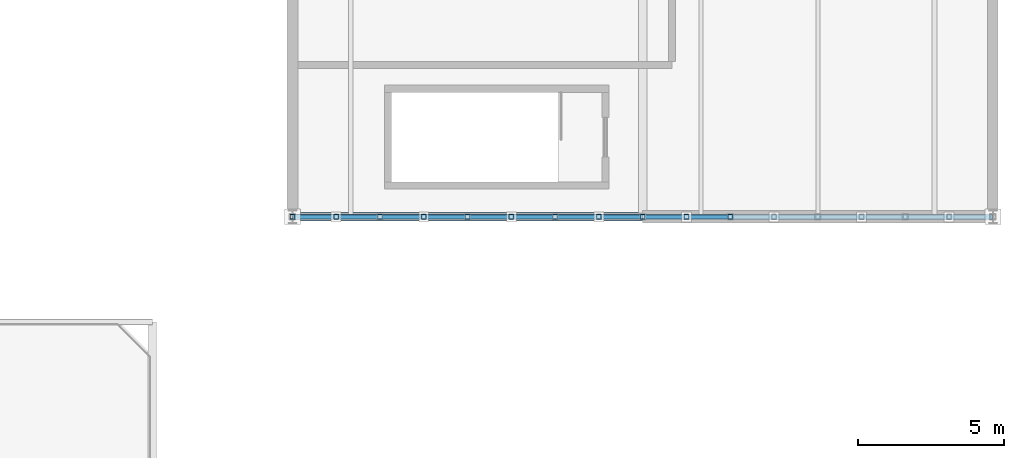
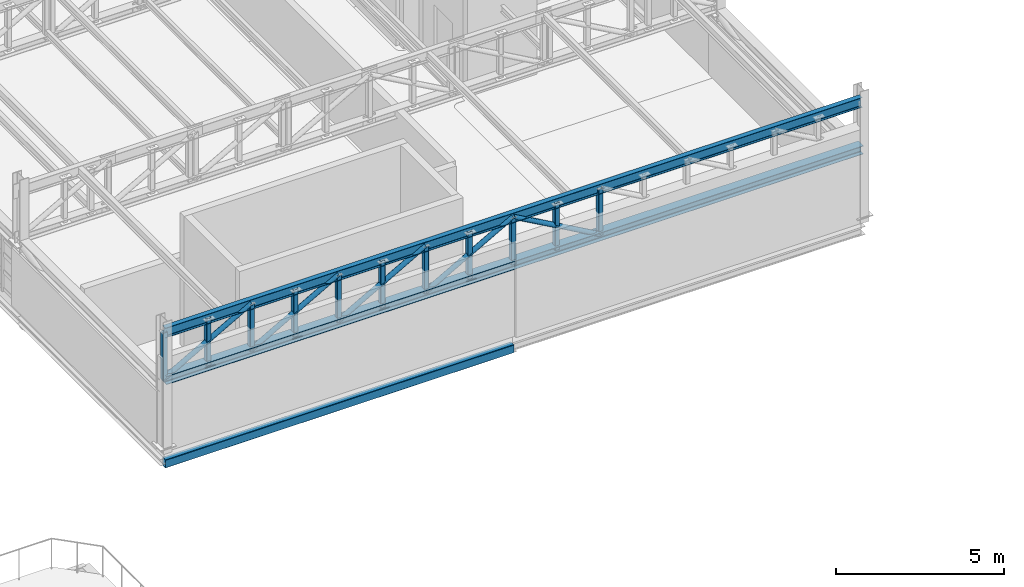
# One storey, part 31 of 128: 18 members, 1 beam.
"""IFC4 building model written with IfcOpenShell, lengths in metres."""

from ifc_helpers import new_model, si_unit, direction, frame, origin, origin_2d, place, context, subcontext, project, spatial, hollow_rectangle, hollow_circle, i_section, extrude, material, material_profile, profile_set, type_object, element, save


model = new_model("IFC4")

# Units and contexts
model_context = context("Model", 3, precision=1e-05, world=origin(), true_north=direction((0.0, 1.0)))
body_context = subcontext(model_context, "Body", "Model", "MODEL_VIEW")
ifc_project = project(units=[si_unit("LENGTHUNIT", "METRE"), si_unit("AREAUNIT", "SQUARE_METRE"), si_unit("VOLUMEUNIT", "CUBIC_METRE"), si_unit("PLANEANGLEUNIT", "RADIAN"), si_unit("MASSUNIT", "GRAM", prefix="KILO")], contexts=[model_context])

# Site, building, storey
site_placement = place(None, origin())
site = spatial("IfcSite", under=ifc_project, at=site_placement, CompositionType="ELEMENT")
building_placement = place(site_placement, origin())
building = spatial("IfcBuilding", under=site, at=building_placement, Name="Serraforn Aerial Cableway Station", CompositionType="ELEMENT")
storey_placement = place(building_placement, frame((0.0, 0.0, 9.0)))
storey = spatial("IfcBuildingStorey", under=building, at=storey_placement, Name="L02", CompositionType="ELEMENT", Elevation=9.0)

# Beam
ifc_material = material(Name="Steel S355J2", Category="steel")
ifc_material_profile_1 = material_profile(ifc_material, hollow_rectangle(XDim=0.199951171875, YDim=0.300048828125, WallThickness=0.012451171875, InnerFilletRadius=0.012451171875, OuterFilletRadius=0.02490234375, at=origin_2d()), Name="RHS 300x200x12.5")
ifc_profile_set_1 = profile_set([ifc_material_profile_1], Name="Steel S355J2")
beam_type = type_object("IfcBeamType", Name="BM-ST-RHS300", PredefinedType="SPANDREL", material=ifc_profile_set_1)
beam_placement = place(storey_placement, frame((144.0, 45.60009765625, -0.469970703125), z_axis=(1.0, 0.0, 0.0), x_axis=(0.0, 1.0, 0.0)))
element("IfcBeam", 1, at=beam_placement, inside=storey, type_object=beam_type, Name="Grid Girder X EG L02 Y1-1", PredefinedType="SPANDREL", context=body_context, shape_type="SweptSolid", body=[
    extrude(hollow_rectangle(XDim=0.199951171875, YDim=0.300048828125, WallThickness=0.012451171875, InnerFilletRadius=0.012451171875, OuterFilletRadius=0.02490234375, at=origin_2d()), origin(), (0.0, 0.0, 1.0), 12.0),
])

# Members
ifc_material_profile_2 = material_profile(ifc_material, i_section(OverallWidth=0.300048828125, OverallDepth=0.300048828125, WebThickness=0.008544921875, FlangeThickness=0.013916015625, FilletRadius=0.027099609375, at=origin_2d()), Name="HEA 300")
ifc_profile_set_2 = profile_set([ifc_material_profile_2], Name="Steel S355J2")
member_type_1 = type_object("IfcMemberType", Name="MEM-BC-HEA300", PredefinedType="CHORD", material=ifc_profile_set_2)
member_1_placement = place(storey_placement, frame((144.0, 45.60009765625, 2.60009765625), z_axis=(1.0, 0.0, 0.0), x_axis=(0.0, 1.0, 0.0)))
element("IfcMember", 2, at=member_1_placement, inside=storey, type_object=member_type_1, Name="Garage Truss GT-01 Bottom Chord", PredefinedType="CHORD", context=body_context, shape_type="SweptSolid", body=[
    extrude(i_section(OverallWidth=0.300048828125, OverallDepth=0.300048828125, WebThickness=0.008544921875, FlangeThickness=0.013916015625, FilletRadius=0.027099609375, at=origin_2d()), origin(), (0.0, 0.0, 1.0), 24.0),
])
ifc_material_profile_3 = material_profile(ifc_material, hollow_circle(Radius=0.084228515625, WallThickness=0.008056640625, at=origin_2d()), Name="CHS 168.3x8.0")
ifc_profile_set_3 = profile_set([ifc_material_profile_3], Name="Steel S355J2")
member_type_2 = type_object("IfcMemberType", Name="MEM-DG-CHS168", PredefinedType="BRACE", material=ifc_profile_set_3)
for number, where, z_axis, x_axis, name in (
    (3, (144.0, 45.60009765625, 2.60009765625), (0.871272396707, 0.0, 0.490799766439), (0.0, 1.0, 0.0), "Garage Truss GT-01 Diagonal 1"),
    (4, (147.0, 45.60009765625, 2.60009765625), (0.871272396707, 0.0, 0.490799766439), (0.0, 1.0, 0.0), "Garage Truss GT-01 Diagonal 2"),
    (5, (150.0, 45.60009765625, 2.60009765625), (0.871272396707, 0.0, 0.490799766439), (0.0, 1.0, 0.0), "Garage Truss GT-01 Diagonal 3"),
    (6, (153.0, 45.60009765625, 2.60009765625), (0.871272396707, 0.0, 0.490799766439), (0.0, 1.0, 0.0), "Garage Truss GT-01 Diagonal 4"),
    (7, (156.0, 45.60009765625, 4.2900390625), (0.871272396707, 0.0, -0.490799766439), (0.0, 1.0, 0.0), "Garage Truss GT-01 Diagonal 5"),
):
    element("IfcMember", number, at=place(storey_placement, frame(where, z_axis=z_axis, x_axis=x_axis)), inside=storey, type_object=member_type_2, Name=name, PredefinedType="BRACE", context=body_context, shape_type="SweptSolid", body=[
        extrude(hollow_circle(Radius=0.084228515625, WallThickness=0.008056640625, at=origin_2d()), origin(), (0.0, 0.0, 1.0), 3.443359375),
    ])
ifc_material_profile_4 = material_profile(ifc_material, i_section(OverallWidth=0.169921875, OverallDepth=0.360107421875, WebThickness=0.008056640625, FlangeThickness=0.0126953125, FilletRadius=0.01806640625, at=origin_2d()), Name="IPE 360")
ifc_profile_set_4 = profile_set([ifc_material_profile_4], Name="Steel S355J2")
member_type_3 = type_object("IfcMemberType", Name="MEM-TC-IPE360", PredefinedType="CHORD", material=ifc_profile_set_4)
member_2_placement = place(storey_placement, frame((144.0, 45.60009765625, 4.2900390625), z_axis=(1.0, 0.0, 0.0), x_axis=(0.0, 1.0, 0.0)))
element("IfcMember", 8, at=member_2_placement, inside=storey, type_object=member_type_3, Name="Garage Truss GT-01 Top Chord", PredefinedType="CHORD", context=body_context, shape_type="SweptSolid", body=[
    extrude(i_section(OverallWidth=0.169921875, OverallDepth=0.360107421875, WebThickness=0.008056640625, FlangeThickness=0.0126953125, FilletRadius=0.01806640625, at=origin_2d()), origin(), (0.0, 0.0, 1.0), 24.0),
])
ifc_material_profile_5 = material_profile(ifc_material, hollow_rectangle(XDim=0.159912109375, YDim=0.159912109375, WallThickness=0.008056640625, InnerFilletRadius=0.008056640625, OuterFilletRadius=0.01611328125, at=origin_2d()), Name="SHS 160x160x8.0")
ifc_profile_set_5 = profile_set([ifc_material_profile_5], Name="Steel S355J2")
member_type_4 = type_object("IfcMemberType", Name="MEM-VP-SHS160", PredefinedType="STRUT", material=ifc_profile_set_5)
for number, where, z_axis, x_axis, name in (
    (9, (144.0, 45.60009765625, 2.590087890625), (0.0, 0.0, 1.0), (1.0, 0.0, 0.0), "Garage Truss GT-01 Post 1"),
    (10, (147.0, 45.60009765625, 2.590087890625), (0.0, 0.0, 1.0), (1.0, 0.0, 0.0), "Garage Truss GT-01 Post 2"),
    (11, (150.0, 45.60009765625, 2.590087890625), (0.0, 0.0, 1.0), (1.0, 0.0, 0.0), "Garage Truss GT-01 Post 3"),
    (12, (153.0, 45.60009765625, 2.590087890625), (0.0, 0.0, 1.0), (1.0, 0.0, 0.0), "Garage Truss GT-01 Post 4"),
    (13, (156.0, 45.60009765625, 2.590087890625), (0.0, 0.0, 1.0), (1.0, 0.0, 0.0), "Garage Truss GT-01 Post 5"),
    (14, (159.0, 45.60009765625, 2.590087890625), (0.0, 0.0, 1.0), (1.0, 0.0, 0.0), "Garage Truss GT-01 Post 6"),
    (15, (145.5, 45.60009765625, 2.590087890625), (0.0, 0.0, 1.0), (1.0, 0.0, 0.0), "Garage Truss GT-01 Sub-Vertical 1"),
    (16, (148.5, 45.60009765625, 2.590087890625), (0.0, 0.0, 1.0), (1.0, 0.0, 0.0), "Garage Truss GT-01 Sub-Vertical 2"),
    (17, (151.5, 45.60009765625, 2.590087890625), (0.0, 0.0, 1.0), (1.0, 0.0, 0.0), "Garage Truss GT-01 Sub-Vertical 3"),
    (18, (154.5, 45.60009765625, 2.590087890625), (0.0, 0.0, 1.0), (1.0, 0.0, 0.0), "Garage Truss GT-01 Sub-Vertical 4"),
    (19, (157.5, 45.60009765625, 2.590087890625), (0.0, 0.0, 1.0), (1.0, 0.0, 0.0), "Garage Truss GT-01 Sub-Vertical 5"),
):
    element("IfcMember", number, at=place(storey_placement, frame(where, z_axis=z_axis, x_axis=x_axis)), inside=storey, type_object=member_type_4, Name=name, PredefinedType="STRUT", context=body_context, shape_type="SweptSolid", body=[
        extrude(hollow_rectangle(XDim=0.159912109375, YDim=0.159912109375, WallThickness=0.008056640625, InnerFilletRadius=0.008056640625, OuterFilletRadius=0.01611328125, at=origin_2d()), origin(), (0.0, 0.0, 1.0), 1.7099609375),
    ])

save(model, "model.ifc")
